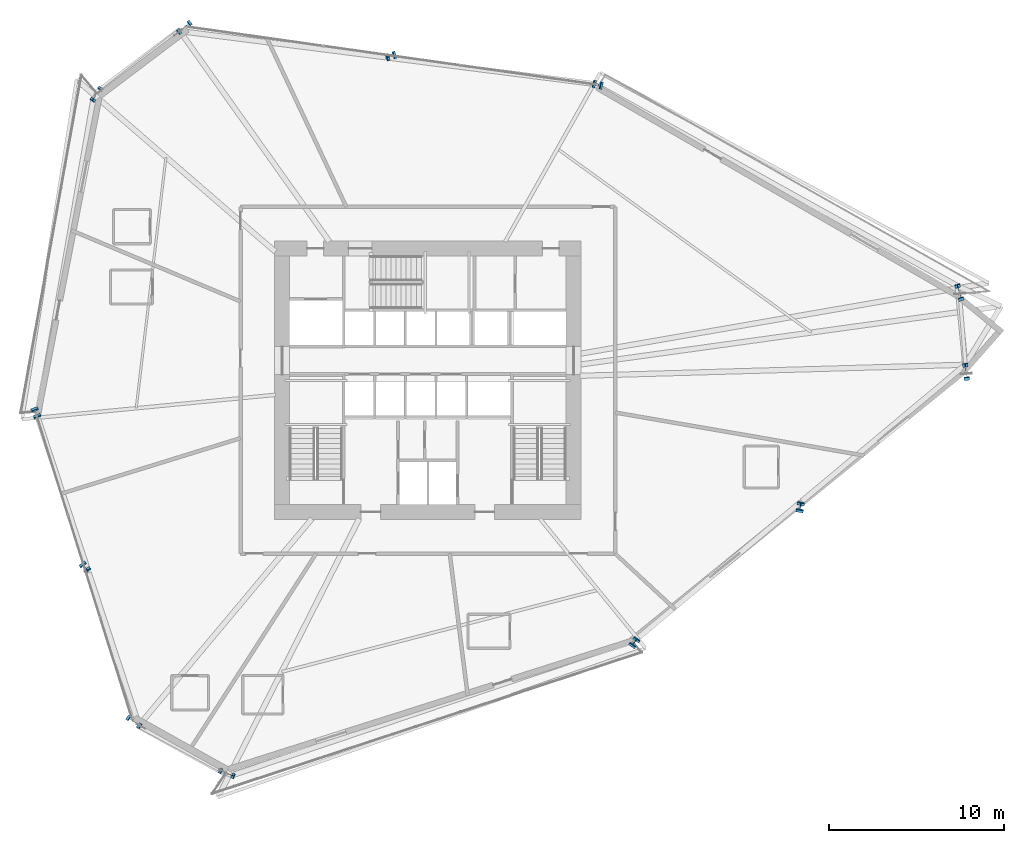
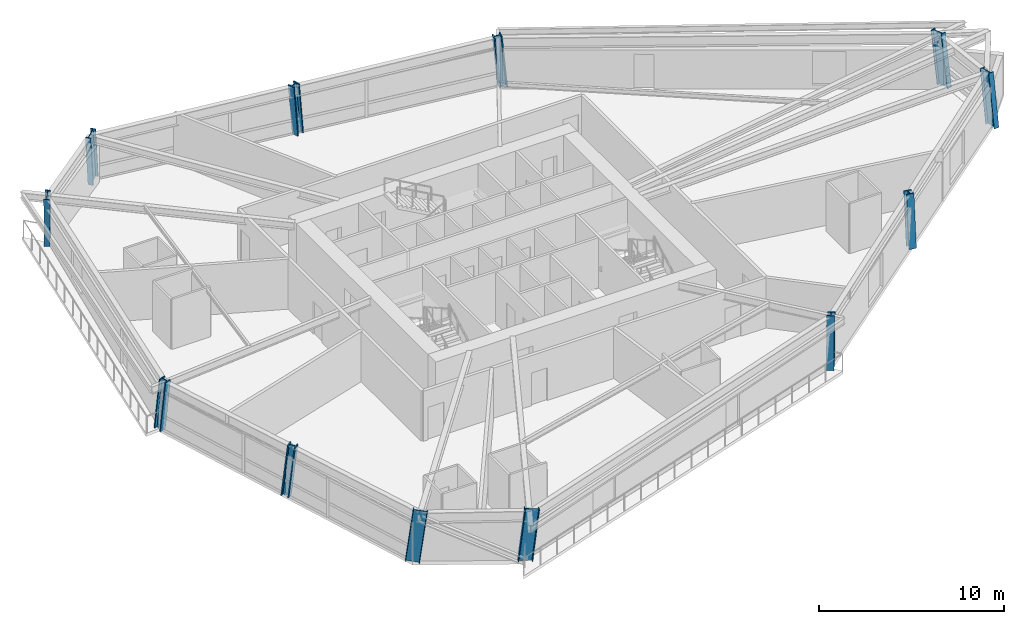
# One storey, part 1 of 21: 12 columns.
"""IFC4 building model written with IfcOpenShell, lengths in metres."""

from ifc_helpers import new_model, si_unit, direction, frame, origin, origin_2d, place, context, subcontext, project, spatial, i_section, extrude, source, transform, mapped, material, material_profile, profile_set, type_object, element, save


model = new_model("IFC4")

# Units and contexts
model_context = context("Model", 3, precision=1e-05, world=origin(), true_north=direction((0.0, 1.0)))
body_context = subcontext(model_context, "Body", "Model", "MODEL_VIEW")
ifc_project = project(units=[si_unit("LENGTHUNIT", "METRE"), si_unit("AREAUNIT", "SQUARE_METRE"), si_unit("VOLUMEUNIT", "CUBIC_METRE"), si_unit("PLANEANGLEUNIT", "RADIAN"), si_unit("MASSUNIT", "GRAM", prefix="KILO")], contexts=[model_context])

# Site, building, storey
site_placement = place(None, origin())
site = spatial("IfcSite", under=ifc_project, at=site_placement, CompositionType="ELEMENT")
building_placement = place(site_placement, origin())
building = spatial("IfcBuilding", under=site, at=building_placement, Name="Olszyna Solenne Hotel", CompositionType="ELEMENT")
storey_placement = place(building_placement, frame((0.0, 0.0, 54.14990234375)))
storey = spatial("IfcBuildingStorey", under=building, at=storey_placement, Name="L13", CompositionType="ELEMENT", Elevation=54.14990234375)

# Columns
ifc_material = material(Name="Steel S460M", Category="steel")
ifc_material_profile_1 = material_profile(ifc_material, i_section(OverallWidth=0.424072265625, OverallDepth=0.47412109375, WebThickness=0.04296875, FlangeThickness=0.068115234375, at=origin_2d()), Name="HD 400x634", Category="load-bearing")
ifc_profile_set_1 = profile_set([ifc_material_profile_1], Name="Steel S460M")
column_type_1 = type_object("IfcColumnType", Name="COL-T1", PredefinedType="COLUMN", material=ifc_profile_set_1)
shared_shape_1 = source(origin(), body_context, "Body", "SweptSolid", [
    extrude(i_section(OverallWidth=0.424072265625, OverallDepth=0.47412109375, WebThickness=0.04296875, FlangeThickness=0.068115234375, at=origin_2d()), origin(), (0.0, 0.0, 1.0), 3.39990234375),
])
column_1_placement = place(storey_placement, frame((49.762939453125, 11.575439453125, 0.0), z_axis=(0.054718314764, 0.075686487876, 0.995629178752), x_axis=(-0.810395288449, 0.585883500757, 0.0)))
element("IfcColumn", 1, at=column_1_placement, inside=storey, type_object=column_type_1, Name="Perimeter framed-tube column COL-T1 C-L13-11", PredefinedType="COLUMN", context=body_context, shape_type="MappedRepresentation", body=[
    mapped(shared_shape_1, transform((0.0, 0.0, 0.0), x_axis=(1.0, 0.0, 0.0), y_axis=(0.0, 1.0, 0.0), z_axis=(0.0, 0.0, 1.0), scale=1.0)),
])
ifc_material_profile_2 = material_profile(ifc_material, i_section(OverallWidth=0.30810546875, OverallDepth=0.81396484375, WebThickness=0.02099609375, FlangeThickness=0.0400390625, at=origin_2d()), Name="HEM 800", Category="load-bearing")
ifc_profile_set_2 = profile_set([ifc_material_profile_2], Name="Steel S460M")
column_type_2 = type_object("IfcColumnType", Name="COL-K1", PredefinedType="COLUMN", material=ifc_profile_set_2)
shared_shape_2 = source(origin(), body_context, "Body", "SweptSolid", [
    extrude(i_section(OverallWidth=0.30810546875, OverallDepth=0.81396484375, WebThickness=0.02099609375, FlangeThickness=0.0400390625, at=origin_2d()), origin(), (0.0, 0.0, 1.0), 3.4052734375),
])
column_2_placement = place(storey_placement, frame((19.11376953125, 42.98828125, 0.0), z_axis=(-0.061873656803, -0.08947662073, 0.994065181433), x_axis=(0.822500508627, -0.568764374155, 0.0)))
element("IfcColumn", 2, at=column_2_placement, inside=storey, type_object=column_type_2, Name="Perimeter framed-tube column COL-K1 C-L13-06", PredefinedType="COLUMN", context=body_context, shape_type="MappedRepresentation", body=[
    mapped(shared_shape_2, transform((0.0, 0.0, 0.0), x_axis=(1.0, 0.0, 0.0), y_axis=(0.0, 1.0, 0.0), z_axis=(0.0, 0.0, 1.0), scale=1.0)),
])
shared_shape_3 = source(origin(), body_context, "Body", "SweptSolid", [
    extrude(i_section(OverallWidth=0.424072265625, OverallDepth=0.47412109375, WebThickness=0.04296875, FlangeThickness=0.068115234375, at=origin_2d()), origin(), (0.0, 0.0, 1.0), 3.406494140625),
])
column_3_placement = place(storey_placement, frame((59.256103515625, 19.281005859375, 0.0), z_axis=(0.019063520922, 0.110726089566, 0.993668111222), x_axis=(-0.985500598756, 0.169671947747, 0.0)))
element("IfcColumn", 3, at=column_3_placement, inside=storey, type_object=column_type_1, Name="Perimeter framed-tube column COL-T1 C-L13-12", PredefinedType="COLUMN", context=body_context, shape_type="MappedRepresentation", body=[
    mapped(shared_shape_3, transform((0.0, 0.0, 0.0), x_axis=(1.0, 0.0, 0.0), y_axis=(0.0, 1.0, 0.0), z_axis=(0.0, 0.0, 1.0), scale=1.0)),
])
shared_shape_4 = source(origin(), body_context, "Body", "SweptSolid", [
    extrude(i_section(OverallWidth=0.424072265625, OverallDepth=0.47412109375, WebThickness=0.04296875, FlangeThickness=0.068115234375, at=origin_2d()), origin(), (0.0, 0.0, 1.0), 3.400146484375),
])
column_4_placement = place(storey_placement, frame((35.9482421875, 45.1279296875, 0.0), z_axis=(-0.090326885942, -0.027428354873, 0.995534398715), x_axis=(0.290556221069, -0.956857921741, 0.0)))
element("IfcColumn", 4, at=column_4_placement, inside=storey, type_object=column_type_1, Name="Perimeter framed-tube column COL-T1 C-L13-04", PredefinedType="COLUMN", context=body_context, shape_type="MappedRepresentation", body=[
    mapped(shared_shape_4, transform((0.0, 0.0, 0.0), x_axis=(1.0, 0.0, 0.0), y_axis=(0.0, 1.0, 0.0), z_axis=(0.0, 0.0, 1.0), scale=1.0)),
])
shared_shape_5 = source(origin(), body_context, "Body", "SweptSolid", [
    extrude(i_section(OverallWidth=0.30810546875, OverallDepth=0.81396484375, WebThickness=0.02099609375, FlangeThickness=0.0400390625, at=origin_2d()), origin(), (0.0, 0.0, 1.0), 3.41748046875),
])
column_5_placement = place(storey_placement, frame((68.379638671875, 31.526123046875, 0.0), z_axis=(-0.036077478038, 0.132522221309, 0.990523233669), x_axis=(-0.964883756144, -0.262677248977, 0.0)))
element("IfcColumn", 5, at=column_5_placement, inside=storey, type_object=column_type_2, Name="Perimeter framed-tube column COL-K1 C-L13-02", PredefinedType="COLUMN", context=body_context, shape_type="MappedRepresentation", body=[
    mapped(shared_shape_5, transform((0.0, 0.0, 0.0), x_axis=(1.0, 0.0, 0.0), y_axis=(0.0, 1.0, 0.0), z_axis=(0.0, 0.0, 1.0), scale=1.0)),
])
shared_shape_6 = source(origin(), body_context, "Body", "SweptSolid", [
    extrude(i_section(OverallWidth=0.30810546875, OverallDepth=0.81396484375, WebThickness=0.02099609375, FlangeThickness=0.0400390625, at=origin_2d()), origin(), (0.0, 0.0, 1.0), 3.421875),
])
column_6_placement = place(storey_placement, frame((68.7490234375, 26.986328125, 0.0), z_axis=(-0.016338812198, 0.145336945184, 0.989247297485), x_axis=(-0.993740120027, -0.111716488702, 0.0)))
element("IfcColumn", 6, at=column_6_placement, inside=storey, type_object=column_type_2, Name="Perimeter framed-tube column COL-K1 C-L13-01", PredefinedType="COLUMN", context=body_context, shape_type="MappedRepresentation", body=[
    mapped(shared_shape_6, transform((0.0, 0.0, 0.0), x_axis=(1.0, 0.0, 0.0), y_axis=(0.0, 1.0, 0.0), z_axis=(0.0, 0.0, 1.0), scale=1.0)),
])
shared_shape_7 = source(origin(), body_context, "Body", "SweptSolid", [
    extrude(i_section(OverallWidth=0.424072265625, OverallDepth=0.47412109375, WebThickness=0.04296875, FlangeThickness=0.068115234375, at=origin_2d()), origin(), (0.0, 0.0, 1.0), 3.40478515625),
])
column_7_placement = place(storey_placement, frame((15.59228515625, 24.8037109375, 0.0), z_axis=(0.036713798913, -0.10096294701, 0.99421254282), x_axis=(0.939793423488, 0.341743063087, 0.0)))
element("IfcColumn", 7, at=column_7_placement, inside=storey, type_object=column_type_1, Name="Perimeter framed-tube column COL-T1 C-L13-07", PredefinedType="COLUMN", context=body_context, shape_type="MappedRepresentation", body=[
    mapped(shared_shape_7, transform((0.0, 0.0, 0.0), x_axis=(1.0, 0.0, 0.0), y_axis=(0.0, 1.0, 0.0), z_axis=(0.0, 0.0, 1.0), scale=1.0)),
])
shared_shape_8 = source(origin(), body_context, "Body", "SweptSolid", [
    extrude(i_section(OverallWidth=0.424072265625, OverallDepth=0.47412109375, WebThickness=0.04296875, FlangeThickness=0.068115234375, at=origin_2d()), origin(), (0.0, 0.0, 1.0), 3.40625),
])
column_8_placement = place(storey_placement, frame((18.371337890625, 15.96923828125, 0.0), z_axis=(0.069882980609, -0.086798245659, 0.993771821683), x_axis=(0.778919724294, 0.627123642598, 0.0)))
element("IfcColumn", 8, at=column_8_placement, inside=storey, type_object=column_type_1, Name="Perimeter framed-tube column COL-T1 C-L13-08", PredefinedType="COLUMN", context=body_context, shape_type="MappedRepresentation", body=[
    mapped(shared_shape_8, transform((0.0, 0.0, 0.0), x_axis=(1.0, 0.0, 0.0), y_axis=(0.0, 1.0, 0.0), z_axis=(0.0, 0.0, 1.0), scale=1.0)),
])
shared_shape_9 = source(origin(), body_context, "Body", "SweptSolid", [
    extrude(i_section(OverallWidth=0.30810546875, OverallDepth=0.81396484375, WebThickness=0.02099609375, FlangeThickness=0.0400390625, at=origin_2d()), origin(), (0.0, 0.0, 1.0), 3.412109375),
])
column_9_placement = place(storey_placement, frame((21.150390625, 7.134765625, 0.0), z_axis=(0.102818377865, -0.0725524253, 0.992050667434), x_axis=(0.576549249714, 0.817062398263, 0.0)))
element("IfcColumn", 9, at=column_9_placement, inside=storey, type_object=column_type_2, Name="Perimeter framed-tube column COL-K1 C-L13-09", PredefinedType="COLUMN", context=body_context, shape_type="MappedRepresentation", body=[
    mapped(shared_shape_9, transform((0.0, 0.0, 0.0), x_axis=(1.0, 0.0, 0.0), y_axis=(0.0, 1.0, 0.0), z_axis=(0.0, 0.0, 1.0), scale=1.0)),
])
shared_shape_10 = source(origin(), body_context, "Body", "SweptSolid", [
    extrude(i_section(OverallWidth=0.424072265625, OverallDepth=0.47412109375, WebThickness=0.04296875, FlangeThickness=0.068115234375, at=origin_2d()), origin(), (0.0, 0.0, 1.0), 3.399169921875),
])
column_10_placement = place(storey_placement, frame((47.747802734375, 43.45947265625, 0.0), z_axis=(-0.088630763536, 0.021188067458, 0.995839170525), x_axis=(-0.232508383837, -0.972594392049, 0.0)))
element("IfcColumn", 10, at=column_10_placement, inside=storey, type_object=column_type_1, Name="Perimeter framed-tube column COL-T1 C-L13-03", PredefinedType="COLUMN", context=body_context, shape_type="MappedRepresentation", body=[
    mapped(shared_shape_10, transform((0.0, 0.0, 0.0), x_axis=(1.0, 0.0, 0.0), y_axis=(0.0, 1.0, 0.0), z_axis=(0.0, 0.0, 1.0), scale=1.0)),
])
shared_shape_11 = source(origin(), body_context, "Body", "SweptSolid", [
    extrude(i_section(OverallWidth=0.30810546875, OverallDepth=0.81396484375, WebThickness=0.02099609375, FlangeThickness=0.0400390625, at=origin_2d()), origin(), (0.0, 0.0, 1.0), 3.4091796875),
])
column_11_placement = place(storey_placement, frame((24.1484375, 46.79638671875, 0.0), z_axis=(-0.091734158476, -0.075836435461, 0.992891574758), x_axis=(0.637161279801, -0.77073049993, 0.0)))
element("IfcColumn", 11, at=column_11_placement, inside=storey, type_object=column_type_2, Name="Perimeter framed-tube column COL-K1 C-L13-05", PredefinedType="COLUMN", context=body_context, shape_type="MappedRepresentation", body=[
    mapped(shared_shape_11, transform((0.0, 0.0, 0.0), x_axis=(1.0, 0.0, 0.0), y_axis=(0.0, 1.0, 0.0), z_axis=(0.0, 0.0, 1.0), scale=1.0)),
])
shared_shape_12 = source(origin(), body_context, "Body", "SweptSolid", [
    extrude(i_section(OverallWidth=0.30810546875, OverallDepth=0.81396484375, WebThickness=0.02099609375, FlangeThickness=0.0400390625, at=origin_2d()), origin(), (0.0, 0.0, 1.0), 3.406005859375),
])
column_12_placement = place(storey_placement, frame((26.458740234375, 4.168212890625, 0.0), z_axis=(0.103287038269, -0.040999435038, 0.993806235668), x_axis=(0.368942816589, 0.929452095639, 0.0)))
element("IfcColumn", 12, at=column_12_placement, inside=storey, type_object=column_type_2, Name="Perimeter framed-tube column COL-K1 C-L13-10", PredefinedType="COLUMN", context=body_context, shape_type="MappedRepresentation", body=[
    mapped(shared_shape_12, transform((0.0, 0.0, 0.0), x_axis=(1.0, 0.0, 0.0), y_axis=(0.0, 1.0, 0.0), z_axis=(0.0, 0.0, 1.0), scale=1.0)),
])

save(model, "model.ifc")
